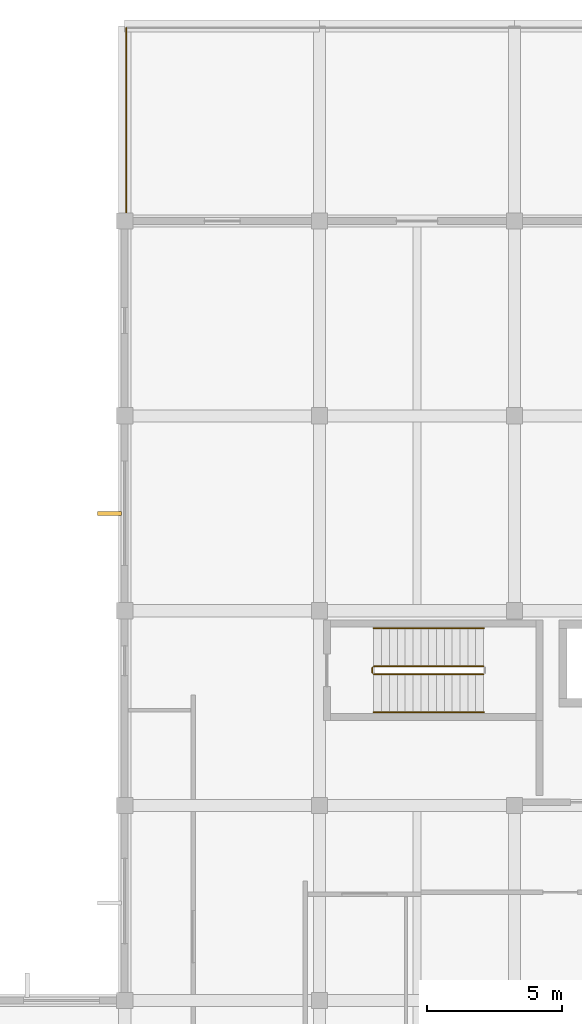
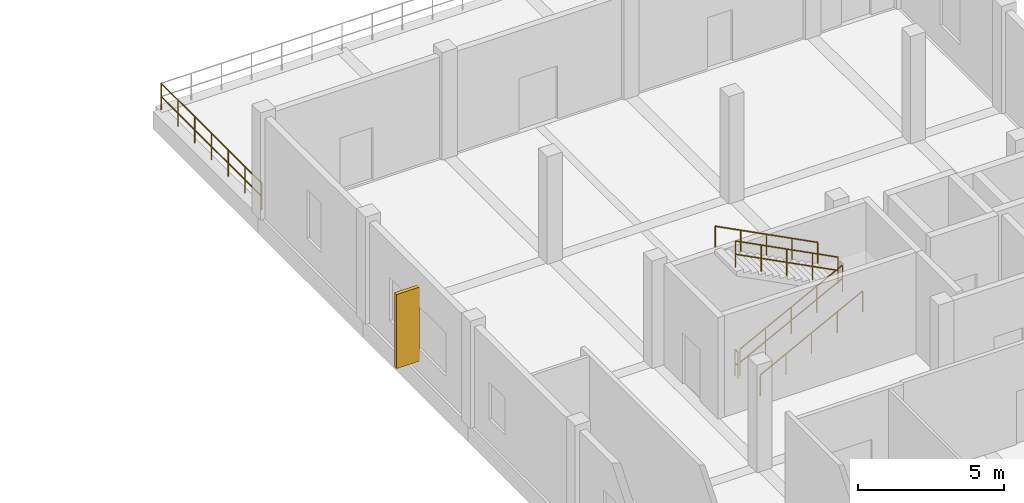
# One storey, part 12 of 14: 6 railings, 1 shading device.
"""IFC4 building model written with IfcOpenShell, lengths in metres."""

from ifc_helpers import new_model, si_unit, direction, frame, origin, origin_2d, place, context, subcontext, project, spatial, rectangle, circle, extrude, material, type_object, element, save


model = new_model("IFC4")

# Units and contexts
model_context = context("Model", 3, precision=1e-05, world=origin(), true_north=direction((0.0, 1.0)))
body_context = subcontext(model_context, "Body", "Model", "MODEL_VIEW")
ifc_project = project(units=[si_unit("LENGTHUNIT", "METRE"), si_unit("AREAUNIT", "SQUARE_METRE"), si_unit("VOLUMEUNIT", "CUBIC_METRE"), si_unit("PLANEANGLEUNIT", "RADIAN"), si_unit("MASSUNIT", "GRAM", prefix="KILO")], contexts=[model_context])

# Site, building, storey
site_placement = place(None, origin())
site = spatial("IfcSite", under=ifc_project, at=site_placement, CompositionType="ELEMENT")
building_placement = place(site_placement, origin())
building = spatial("IfcBuilding", under=site, at=building_placement, Name="Seraya Terrace Polytechnic", CompositionType="ELEMENT")
storey_placement = place(building_placement, frame((0.0, 0.0, 27.89990234375)))
storey = spatial("IfcBuildingStorey", under=building, at=storey_placement, Name="L06", CompositionType="ELEMENT", Elevation=27.89990234375)

# Shading device
ifc_material_1 = material(Name="Precast concrete C40/50", Category="concrete")
shading_device_type = type_object("IfcShadingDeviceType", Name="BS-F1", PredefinedType="JALOUSIE", material=ifc_material_1)
shading_device_placement = place(storey_placement, frame((78.639892578125, 46.800048828125, 0.449951171875), z_axis=(0.0, 0.0, 1.0), x_axis=(-1.0, 0.0, 0.0)))
element("IfcShadingDevice", 1, at=shading_device_placement, inside=storey, type_object=shading_device_type, Name="Precast concrete brise-soleil fin L06", PredefinedType="JALOUSIE", context=body_context, shape_type="SweptSolid", body=[
    extrude(rectangle(XDim=0.89990234375, YDim=0.14990234375, at=origin_2d()), origin(), (0.0, 0.0, 1.0), 3.10009765625),
])

# Railings
ifc_material_2 = material(Name="Steel S355J2", Category="steel")
railing_type_1 = type_object("IfcRailingType", Name="GR-01", PredefinedType="GUARDRAIL", material=ifc_material_2)
railing_1_placement = place(storey_placement, frame((79.260009765625, 64.739990234375, 0.0)))
element("IfcRailing", 2, at=railing_1_placement, inside=storey, type_object=railing_type_1, Name="Terrace perimeter guardrail TERR-L06-N W1", PredefinedType="GUARDRAIL", context=body_context, shape_type="SweptSolid", body=[
    extrude(circle(Radius=0.02392578125, at=origin_2d()), frame((0.0, 0.0, 1.10595703125), z_axis=(0.0, -1.0, 0.0), x_axis=(1.0, 0.0, 0.0)), (0.0, 0.0, 1.0), 6.89990234375),
    extrude(circle(Radius=0.02392578125, at=origin_2d()), frame((0.0, 0.0, 0.550048828125), z_axis=(0.0, -1.0, 0.0), x_axis=(1.0, 0.0, 0.0)), (0.0, 0.0, 1.0), 6.89990234375),
    extrude(circle(Radius=0.02099609375, at=origin_2d()), origin(), (0.0, 0.0, 1.0), 1.081787109375),
    extrude(circle(Radius=0.02099609375, at=origin_2d()), frame((0.0, -1.14990234375, 0.0)), (0.0, 0.0, 1.0), 1.081787109375),
    extrude(circle(Radius=0.02099609375, at=origin_2d()), frame((0.0, -2.300048828125, 0.0)), (0.0, 0.0, 1.0), 1.081787109375),
    extrude(circle(Radius=0.02099609375, at=origin_2d()), frame((0.0, -3.449951171875, 0.0)), (0.0, 0.0, 1.0), 1.081787109375),
    extrude(circle(Radius=0.02099609375, at=origin_2d()), frame((0.0, -4.599853515625, 0.0)), (0.0, 0.0, 1.0), 1.081787109375),
    extrude(circle(Radius=0.02099609375, at=origin_2d()), frame((0.0, -5.75, 0.0)), (0.0, 0.0, 1.0), 1.081787109375),
    extrude(circle(Radius=0.02099609375, at=origin_2d()), frame((0.0, -6.89990234375, 0.0)), (0.0, 0.0, 1.0), 1.081787109375),
])
railing_type_2 = type_object("IfcRailingType", Name="GR-02", PredefinedType="GUARDRAIL", material=ifc_material_2)
railing_2_placement = place(storey_placement, frame((88.39990234375, 40.85009765625, 0.150146484375)))
element("IfcRailing", 3, at=railing_2_placement, inside=storey, type_object=railing_type_2, Name="L06 ST-02 stair guard 1", PredefinedType="GUARDRAIL", context=body_context, shape_type="SweptSolid", body=[
    extrude(circle(Radius=0.02392578125, at=origin_2d()), frame((0.0, 0.0, 1.10595703125), z_axis=(0.888233425583, 0.0, 0.459392404897), x_axis=(0.0, 1.0, 0.0)), (0.0, 0.0, 1.0), 4.571044921875),
    extrude(circle(Radius=0.02392578125, at=origin_2d()), frame((0.0, 0.0, 0.550048828125), z_axis=(0.888233425583, 0.0, 0.459392404897), x_axis=(0.0, 1.0, 0.0)), (0.0, 0.0, 1.0), 4.571044921875),
    extrude(circle(Radius=0.02099609375, at=origin_2d()), origin(), (0.0, 0.0, 1.0), 1.081787109375),
    extrude(circle(Radius=0.02099609375, at=origin_2d()), frame((1.01513671875, 0.0, 0.52490234375)), (0.0, 0.0, 1.0), 1.081787109375),
    extrude(circle(Radius=0.02099609375, at=origin_2d()), frame((2.030029296875, 0.0, 1.0498046875)), (0.0, 0.0, 1.0), 1.081787109375),
    extrude(circle(Radius=0.02099609375, at=origin_2d()), frame((3.044921875, 0.0, 1.574951171875)), (0.0, 0.0, 1.0), 1.081787109375),
    extrude(circle(Radius=0.02099609375, at=origin_2d()), frame((4.06005859375, 0.0, 2.099853515625)), (0.0, 0.0, 1.0), 1.081787109375),
])
railing_3_placement = place(storey_placement, frame((92.4599609375, 41.14990234375, 2.400146484375)))
element("IfcRailing", 4, at=railing_3_placement, inside=storey, type_object=railing_type_2, Name="L06 ST-02 stair guard 3", PredefinedType="GUARDRAIL", context=body_context, shape_type="SweptSolid", body=[
    extrude(circle(Radius=0.02392578125, at=origin_2d()), frame((0.0, 0.0, 1.10595703125), z_axis=(-0.888233425583, 0.0, 0.459392404897), x_axis=(0.0, -1.0, 0.0)), (0.0, 0.0, 1.0), 4.571044921875),
    extrude(circle(Radius=0.02392578125, at=origin_2d()), frame((0.0, 0.0, 0.550048828125), z_axis=(-0.888233425583, 0.0, 0.459392404897), x_axis=(0.0, -1.0, 0.0)), (0.0, 0.0, 1.0), 4.571044921875),
    extrude(circle(Radius=0.02099609375, at=origin_2d()), origin(), (0.0, 0.0, 1.0), 1.081787109375),
    extrude(circle(Radius=0.02099609375, at=origin_2d()), frame((-1.01513671875, 0.0, 0.52490234375)), (0.0, 0.0, 1.0), 1.081787109375),
    extrude(circle(Radius=0.02099609375, at=origin_2d()), frame((-2.030029296875, 0.0, 1.0498046875)), (0.0, 0.0, 1.0), 1.081787109375),
    extrude(circle(Radius=0.02099609375, at=origin_2d()), frame((-3.044921875, 0.0, 1.574951171875)), (0.0, 0.0, 1.0), 1.081787109375),
    extrude(circle(Radius=0.02099609375, at=origin_2d()), frame((-4.06005859375, 0.0, 2.099853515625)), (0.0, 0.0, 1.0), 1.081787109375),
])
railing_4_placement = place(storey_placement, frame((88.35009765625, 40.89990234375, 0.0)))
element("IfcRailing", 5, at=railing_4_placement, inside=storey, type_object=railing_type_2, Name="L06 ST-02 stair guard 4", PredefinedType="GUARDRAIL", context=body_context, shape_type="SweptSolid", body=[
    extrude(circle(Radius=0.02392578125, at=origin_2d()), frame((0.0, 0.0, 1.10595703125), z_axis=(0.0, 1.0, 0.0), x_axis=(-1.0, 0.0, 0.0)), (0.0, 0.0, 1.0), 0.2001953125),
    extrude(circle(Radius=0.02392578125, at=origin_2d()), frame((0.0, 0.0, 0.550048828125), z_axis=(0.0, 1.0, 0.0), x_axis=(-1.0, 0.0, 0.0)), (0.0, 0.0, 1.0), 0.2001953125),
    extrude(circle(Radius=0.02099609375, at=origin_2d()), origin(), (0.0, 0.0, 1.0), 1.081787109375),
    extrude(circle(Radius=0.02099609375, at=origin_2d()), frame((0.0, 0.2001953125, 0.0)), (0.0, 0.0, 1.0), 1.081787109375),
])
railing_type_3 = type_object("IfcRailingType", Name="HR-01", PredefinedType="HANDRAIL", material=ifc_material_2)
railing_5_placement = place(storey_placement, frame((88.39990234375, 39.449951171875, 0.150146484375)))
element("IfcRailing", 6, at=railing_5_placement, inside=storey, type_object=railing_type_3, Name="L06 ST-02 stair handrail 1", PredefinedType="HANDRAIL", context=body_context, shape_type="SweptSolid", body=[
    extrude(circle(Radius=0.02392578125, at=origin_2d()), frame((0.0, 0.0, 0.8759765625), z_axis=(0.888233425583, 0.0, 0.459392404897), x_axis=(0.0, 1.0, 0.0)), (0.0, 0.0, 1.0), 4.571044921875),
    extrude(circle(Radius=0.02099609375, at=origin_2d()), origin(), (0.0, 0.0, 1.0), 0.851806640625),
    extrude(circle(Radius=0.02099609375, at=origin_2d()), frame((1.01513671875, 0.0, 0.52490234375)), (0.0, 0.0, 1.0), 0.851806640625),
    extrude(circle(Radius=0.02099609375, at=origin_2d()), frame((2.030029296875, 0.0, 1.0498046875)), (0.0, 0.0, 1.0), 0.851806640625),
    extrude(circle(Radius=0.02099609375, at=origin_2d()), frame((3.044921875, 0.0, 1.574951171875)), (0.0, 0.0, 1.0), 0.851806640625),
    extrude(circle(Radius=0.02099609375, at=origin_2d()), frame((4.06005859375, 0.0, 2.099853515625)), (0.0, 0.0, 1.0), 0.851806640625),
])
railing_6_placement = place(storey_placement, frame((92.4599609375, 42.550048828125, 2.400146484375)))
element("IfcRailing", 7, at=railing_6_placement, inside=storey, type_object=railing_type_3, Name="L06 ST-02 stair handrail 2", PredefinedType="HANDRAIL", context=body_context, shape_type="SweptSolid", body=[
    extrude(circle(Radius=0.02392578125, at=origin_2d()), frame((0.0, 0.0, 0.8759765625), z_axis=(-0.888233425583, 0.0, 0.459392404897), x_axis=(0.0, -1.0, 0.0)), (0.0, 0.0, 1.0), 4.571044921875),
    extrude(circle(Radius=0.02099609375, at=origin_2d()), origin(), (0.0, 0.0, 1.0), 0.851806640625),
    extrude(circle(Radius=0.02099609375, at=origin_2d()), frame((-1.01513671875, 0.0, 0.52490234375)), (0.0, 0.0, 1.0), 0.851806640625),
    extrude(circle(Radius=0.02099609375, at=origin_2d()), frame((-2.030029296875, 0.0, 1.0498046875)), (0.0, 0.0, 1.0), 0.851806640625),
    extrude(circle(Radius=0.02099609375, at=origin_2d()), frame((-3.044921875, 0.0, 1.574951171875)), (0.0, 0.0, 1.0), 0.851806640625),
    extrude(circle(Radius=0.02099609375, at=origin_2d()), frame((-4.06005859375, 0.0, 2.099853515625)), (0.0, 0.0, 1.0), 0.851806640625),
])

save(model, "model.ifc")
